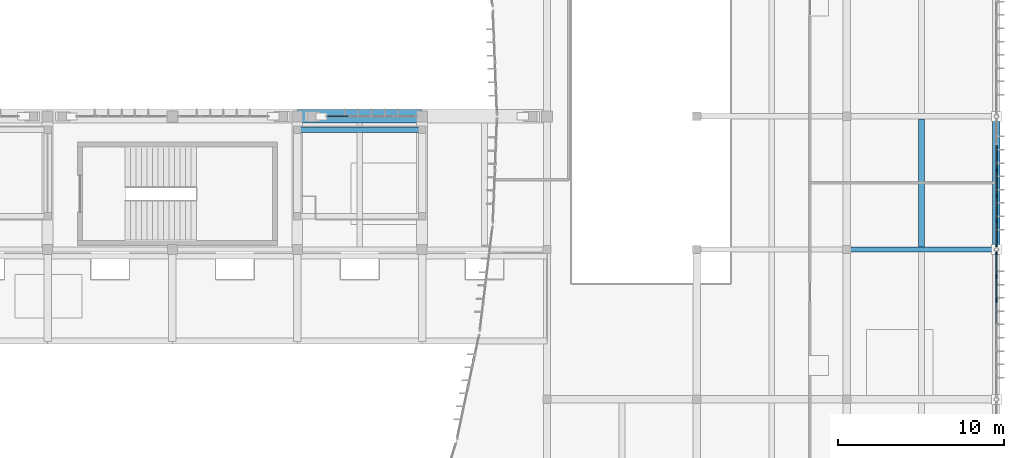
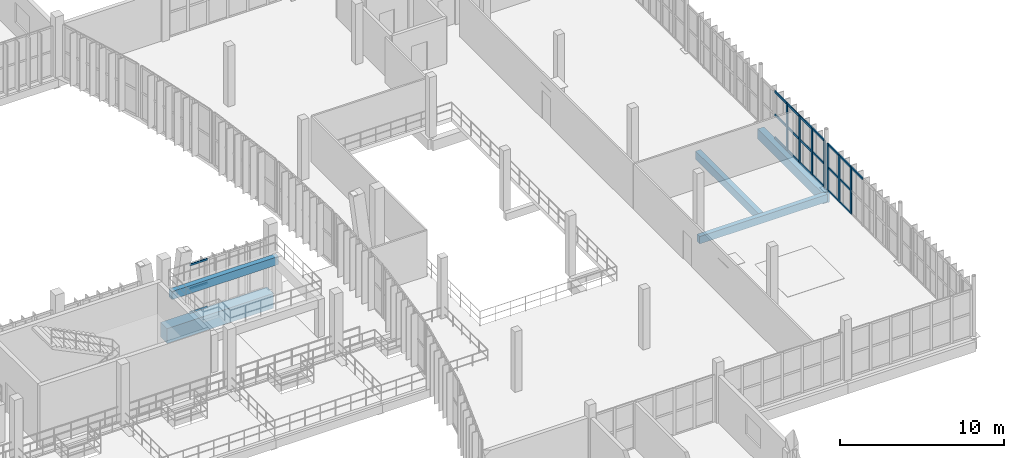
# One storey, part 32 of 81: 29 members, 5 beams, 3 elements without a shape of their own.
"""IFC4 building model written with IfcOpenShell, lengths in metres."""

from ifc_helpers import new_model, si_unit, direction, frame, origin, origin_2d, place, context, subcontext, project, spatial, rectangle, extrude, material, material_profile, profile_set, type_object, element, aggregate, save


model = new_model("IFC4")

# Units and contexts
model_context = context("Model", 3, precision=1e-05, world=origin(), true_north=direction((0.0, 1.0)))
body_context = subcontext(model_context, "Body", "Model", "MODEL_VIEW")
ifc_project = project(units=[si_unit("LENGTHUNIT", "METRE"), si_unit("AREAUNIT", "SQUARE_METRE"), si_unit("VOLUMEUNIT", "CUBIC_METRE"), si_unit("PLANEANGLEUNIT", "RADIAN"), si_unit("MASSUNIT", "GRAM", prefix="KILO")], contexts=[model_context])

# Site, building, storey
site_placement = place(None, origin())
site = spatial("IfcSite", under=ifc_project, at=site_placement, CompositionType="ELEMENT")
building_placement = place(site_placement, origin())
building = spatial("IfcBuilding", under=site, at=building_placement, Name="Vourika Railside Aquatics Centre", CompositionType="ELEMENT")
storey_placement = place(building_placement, frame((0.0, 0.0, 4.800048828125)))
storey = spatial("IfcBuildingStorey", under=building, at=storey_placement, Name="L01", CompositionType="ELEMENT", Elevation=4.800048828125)

# Beams
ifc_material_1 = material(Name="Concrete C35/45", Category="concrete")
ifc_material_profile_1 = material_profile(ifc_material_1, rectangle(XDim=0.449951171875, YDim=0.75, at=origin_2d()), Name="RC 450x750")
ifc_profile_set_1 = profile_set([ifc_material_profile_1], Name="Concrete C35/45")
beam_type_1 = type_object("IfcBeamType", Name="BM-GIRD-450x750", PredefinedType="BEAM", material=ifc_profile_set_1)
beam_1_placement = place(storey_placement, frame((168.0, 58.0, -0.675048828125), z_axis=(0.0, 1.0, 0.0), x_axis=(-1.0, 0.0, 0.0)))
element("IfcBeam", 1, at=beam_1_placement, inside=storey, type_object=beam_type_1, Name="Floor Girder GY-L01-294", PredefinedType="BEAM", context=body_context, shape_type="SweptSolid", body=[
    extrude(rectangle(XDim=0.449951171875, YDim=0.75, at=origin_2d()), origin(), (0.0, 0.0, 1.0), 8.0),
])
ifc_material_2 = material(Name="Concrete C40/50", Category="concrete")
ifc_material_profile_2 = material_profile(ifc_material_2, rectangle(XDim=0.800048828125, YDim=1.10009765625, at=origin_2d()), Name="RC 800x1100")
ifc_profile_set_2 = profile_set([ifc_material_profile_2], Name="Concrete C40/50")
beam_type_2 = type_object("IfcBeamType", Name="BM-RING-800x1100", PredefinedType="BEAM", material=ifc_profile_set_2)
beam_2_placement = place(storey_placement, frame((126.0, 66.0, -0.85009765625), z_axis=(1.0, 0.0, 0.0), x_axis=(0.0, 1.0, 0.0)))
element("IfcBeam", 2, at=beam_2_placement, inside=storey, type_object=beam_type_2, Name="Floor Beam GX-L01-092", PredefinedType="BEAM", context=body_context, shape_type="SweptSolid", body=[
    extrude(rectangle(XDim=0.800048828125, YDim=1.10009765625, at=origin_2d()), origin(), (0.0, 0.0, 1.0), 7.5),
])
ifc_material_profile_3 = material_profile(ifc_material_1, rectangle(XDim=0.35009765625, YDim=0.60009765625, at=origin_2d()), Name="RC 350x600")
ifc_profile_set_3 = profile_set([ifc_material_profile_3], Name="Concrete C35/45")
beam_type_3 = type_object("IfcBeamType", Name="BM-SEC-350x600", PredefinedType="JOIST", material=ifc_profile_set_3)
beam_3_placement = place(storey_placement, frame((163.5, 58.159912109375, -0.60009765625), z_axis=(0.0, 1.0, 0.0), x_axis=(-1.0, 0.0, 0.0)))
element("IfcBeam", 3, at=beam_3_placement, inside=storey, type_object=beam_type_3, Name="Secondary Joist JY-L01-338", PredefinedType="JOIST", context=body_context, shape_type="SweptSolid", body=[
    extrude(rectangle(XDim=0.35009765625, YDim=0.60009765625, at=origin_2d()), origin(), (0.0, 0.0, 1.0), 7.68017578125),
])
beam_4_placement = place(storey_placement, frame((126.0, 65.199951171875, 2.5), z_axis=(1.0, 0.0, 0.0), x_axis=(0.0, 1.0, 0.0)))
element("IfcBeam", 4, at=beam_4_placement, inside=storey, type_object=beam_type_3, Name="Upper Stand Rear Beam 126.0-133.5", PredefinedType="JOIST", context=body_context, shape_type="SweptSolid", body=[
    extrude(rectangle(XDim=0.35009765625, YDim=0.60009765625, at=origin_2d()), origin(), (0.0, 0.0, 1.0), 7.5),
])
ifc_material_profile_4 = material_profile(ifc_material_1, rectangle(XDim=0.320068359375, YDim=0.550048828125, at=origin_2d()), Name="RC 320x550")
ifc_profile_set_4 = profile_set([ifc_material_profile_4], Name="Concrete C35/45")
beam_type_4 = type_object("IfcBeamType", Name="BM-SPAN-320x550", PredefinedType="SPANDREL", material=ifc_profile_set_4)
beam_5_placement = place(storey_placement, frame((159.0, 58.0, -0.574951171875), z_axis=(1.0, 0.0, 0.0), x_axis=(0.0, 1.0, 0.0)))
element("IfcBeam", 5, at=beam_5_placement, inside=storey, type_object=beam_type_4, Name="Floor Beam GX-L01-077", PredefinedType="SPANDREL", context=body_context, shape_type="SweptSolid", body=[
    extrude(rectangle(XDim=0.320068359375, YDim=0.550048828125, at=origin_2d()), origin(), (0.0, 0.0, 1.0), 9.0),
])

# Curtain wall, members
ifc_material_3 = material(Name="Anodized thermally broken aluminium", Category="aluminium")
curtain_wall_type_1 = type_object("IfcCurtainWallType", Name="CW-FOYE", PredefinedType="NOTDEFINED", material=ifc_material_3)
curtain_wall_1_placement = place(storey_placement, origin())
curtain_wall_1 = element("IfcCurtainWall", 6, at=curtain_wall_1_placement, inside=storey, type_object=curtain_wall_type_1, Name="East Arrival Facade Curtain Wall L01-2", PredefinedType="NOTDEFINED")
ifc_material_4 = material(Name="Anodized aluminium mullion", Category="aluminium")
ifc_material_profile_5 = material_profile(ifc_material_4, rectangle(XDim=0.074951171875, YDim=0.199951171875, at=origin_2d()), Name="ALU-M 75x200")
ifc_profile_set_5 = profile_set([ifc_material_profile_5], Name="Anodized aluminium mullion")
member_type_1 = type_object("IfcMemberType", Name="CWM-FOYE", PredefinedType="MULLION", material=ifc_profile_set_5)
member_1_placement = place(storey_placement, frame((168.0, 54.944580078125, 0.0), z_axis=(0.0, 0.0, 1.0), x_axis=(-1.0, 0.0, 0.0)))
member_1 = element("IfcMember", 7, at=member_1_placement, type_object=member_type_1, Name="CW10 mullion 5", PredefinedType="MULLION", context=body_context, shape_type="SweptSolid", body=[
    extrude(rectangle(XDim=0.074951171875, YDim=0.199951171875, at=origin_2d()), origin(), (0.0, 0.0, 1.0), 3.5),
])
member_2_placement = place(storey_placement, frame((168.0, 56.388916015625, 0.0), z_axis=(0.0, 0.0, 1.0), x_axis=(-1.0, 0.0, 0.0)))
member_2 = element("IfcMember", 8, at=member_2_placement, type_object=member_type_1, Name="CW10 mullion 6", PredefinedType="MULLION", context=body_context, shape_type="SweptSolid", body=[
    extrude(rectangle(XDim=0.074951171875, YDim=0.199951171875, at=origin_2d()), origin(), (0.0, 0.0, 1.0), 3.5),
])
member_3_placement = place(storey_placement, frame((168.0, 57.7958984375, 0.0), z_axis=(0.0, 0.0, 1.0), x_axis=(-1.0, 0.0, 0.0)))
member_3 = element("IfcMember", 9, at=member_3_placement, type_object=member_type_1, Name="CW10 mullion 7", PredefinedType="MULLION", context=body_context, shape_type="SweptSolid", body=[
    extrude(rectangle(XDim=0.074951171875, YDim=0.199951171875, at=origin_2d()), origin(), (0.0, 0.0, 1.0), 3.5),
])

curtain_wall_2_placement = place(storey_placement, origin())
curtain_wall_2 = element("IfcCurtainWall", 10, at=curtain_wall_2_placement, inside=storey, type_object=curtain_wall_type_1, Name="East Arrival Facade Curtain Wall L01-3", PredefinedType="NOTDEFINED")
member_4_placement = place(storey_placement, frame((168.0, 58.2041015625, 0.0), z_axis=(0.0, 0.0, 1.0), x_axis=(-1.0, 0.0, 0.0)))
member_4 = element("IfcMember", 11, at=member_4_placement, type_object=member_type_1, Name="CW10 mullion 1", PredefinedType="MULLION", context=body_context, shape_type="SweptSolid", body=[
    extrude(rectangle(XDim=0.074951171875, YDim=0.199951171875, at=origin_2d()), origin(), (0.0, 0.0, 1.0), 3.5),
])
member_5_placement = place(storey_placement, frame((168.0, 59.699951171875, 0.0), z_axis=(0.0, 0.0, 1.0), x_axis=(-1.0, 0.0, 0.0)))
member_5 = element("IfcMember", 12, at=member_5_placement, type_object=member_type_1, Name="CW10 mullion 2", PredefinedType="MULLION", context=body_context, shape_type="SweptSolid", body=[
    extrude(rectangle(XDim=0.074951171875, YDim=0.199951171875, at=origin_2d()), origin(), (0.0, 0.0, 1.0), 3.5),
])
member_6_placement = place(storey_placement, frame((168.0, 61.2333984375, 0.0), z_axis=(0.0, 0.0, 1.0), x_axis=(-1.0, 0.0, 0.0)))
member_6 = element("IfcMember", 13, at=member_6_placement, type_object=member_type_1, Name="CW10 mullion 3", PredefinedType="MULLION", context=body_context, shape_type="SweptSolid", body=[
    extrude(rectangle(XDim=0.074951171875, YDim=0.199951171875, at=origin_2d()), origin(), (0.0, 0.0, 1.0), 3.5),
])
member_7_placement = place(storey_placement, frame((168.0, 62.7666015625, 0.0), z_axis=(0.0, 0.0, 1.0), x_axis=(-1.0, 0.0, 0.0)))
member_7 = element("IfcMember", 14, at=member_7_placement, type_object=member_type_1, Name="CW10 mullion 4", PredefinedType="MULLION", context=body_context, shape_type="SweptSolid", body=[
    extrude(rectangle(XDim=0.074951171875, YDim=0.199951171875, at=origin_2d()), origin(), (0.0, 0.0, 1.0), 3.5),
])

curtain_wall_type_2 = type_object("IfcCurtainWallType", Name="CW-CRT1", PredefinedType="NOTDEFINED", material=ifc_material_3)
curtain_wall_3_placement = place(storey_placement, origin())
curtain_wall_3 = element("IfcCurtainWall", 15, at=curtain_wall_3_placement, inside=storey, type_object=curtain_wall_type_2, Name="Spectator Concourse Courtyard Curtain Wall 13", PredefinedType="NOTDEFINED")
ifc_material_5 = material(Name="Anodized aluminium transom", Category="aluminium")
ifc_material_profile_6 = material_profile(ifc_material_5, rectangle(XDim=0.06591796875, YDim=0.132080078125, at=origin_2d()), Name="ALU-T 66x132")
ifc_profile_set_6 = profile_set([ifc_material_profile_6], Name="Anodized aluminium transom")
member_type_2 = type_object("IfcMemberType", Name="CWT-CRT1", PredefinedType="USERDEFINED", material=ifc_profile_set_6)
member_8_placement = place(storey_placement, frame((129.064453125, 66.0, 0.032958984375), z_axis=(-1.0, 0.0, 0.0), x_axis=(0.0, -1.0, 0.0)))
member_8 = element("IfcMember", 16, at=member_8_placement, type_object=member_type_2, Name="CW13 transom 4.1", ObjectType="TRANSOM", PredefinedType="USERDEFINED", context=body_context, shape_type="SweptSolid", body=[
    extrude(rectangle(XDim=0.06591796875, YDim=0.132080078125, at=origin_2d()), origin(), (0.0, 0.0, 1.0), 1.24853515625),
])
member_9_placement = place(storey_placement, frame((129.064453125, 66.0, 1.800048828125), z_axis=(-1.0, 0.0, 0.0), x_axis=(0.0, -1.0, 0.0)))
member_9 = element("IfcMember", 17, at=member_9_placement, type_object=member_type_2, Name="CW13 transom 4.2", ObjectType="TRANSOM", PredefinedType="USERDEFINED", context=body_context, shape_type="SweptSolid", body=[
    extrude(rectangle(XDim=0.06591796875, YDim=0.132080078125, at=origin_2d()), origin(), (0.0, 0.0, 1.0), 1.24853515625),
])
member_10_placement = place(storey_placement, frame((129.064453125, 66.0, 3.56689453125), z_axis=(-1.0, 0.0, 0.0), x_axis=(0.0, -1.0, 0.0)))
member_10 = element("IfcMember", 18, at=member_10_placement, type_object=member_type_2, Name="CW13 transom 4.3", ObjectType="TRANSOM", PredefinedType="USERDEFINED", context=body_context, shape_type="SweptSolid", body=[
    extrude(rectangle(XDim=0.06591796875, YDim=0.132080078125, at=origin_2d()), origin(), (0.0, 0.0, 1.0), 1.24853515625),
])
aggregate(curtain_wall_3, [member_8, member_9, member_10])

# Member
ifc_material_profile_7 = material_profile(ifc_material_5, rectangle(XDim=0.074951171875, YDim=0.157958984375, at=origin_2d()), Name="ALU-T 75x158")
ifc_profile_set_7 = profile_set([ifc_material_profile_7], Name="Anodized aluminium transom")
member_type_3 = type_object("IfcMemberType", Name="CWT-FOYE", PredefinedType="USERDEFINED", material=ifc_profile_set_7)
member_11_placement = place(storey_placement, frame((168.0, 53.53759765625, 3.46240234375), z_axis=(0.0, 1.0, 0.0), x_axis=(-1.0, 0.0, 0.0)))
member_11 = element("IfcMember", 19, at=member_11_placement, type_object=member_type_3, Name="CW10 transom 4.3", ObjectType="TRANSOM", PredefinedType="USERDEFINED", context=body_context, shape_type="SweptSolid", body=[
    extrude(rectangle(XDim=0.074951171875, YDim=0.157958984375, at=origin_2d()), origin(), (0.0, 0.0, 1.0), 1.369384765625),
])

member_12_placement = place(storey_placement, frame((168.0, 54.98193359375, 0.037353515625), z_axis=(0.0, 1.0, 0.0), x_axis=(-1.0, 0.0, 0.0)))
member_12 = element("IfcMember", 20, at=member_12_placement, type_object=member_type_3, Name="CW10 transom 5.1", ObjectType="TRANSOM", PredefinedType="USERDEFINED", context=body_context, shape_type="SweptSolid", body=[
    extrude(rectangle(XDim=0.074951171875, YDim=0.157958984375, at=origin_2d()), origin(), (0.0, 0.0, 1.0), 1.36962890625),
])

member_13_placement = place(storey_placement, frame((168.0, 54.98193359375, 1.75), z_axis=(0.0, 1.0, 0.0), x_axis=(-1.0, 0.0, 0.0)))
member_13 = element("IfcMember", 21, at=member_13_placement, type_object=member_type_3, Name="CW10 transom 5.2", ObjectType="TRANSOM", PredefinedType="USERDEFINED", context=body_context, shape_type="SweptSolid", body=[
    extrude(rectangle(XDim=0.074951171875, YDim=0.157958984375, at=origin_2d()), origin(), (0.0, 0.0, 1.0), 1.36962890625),
])

member_14_placement = place(storey_placement, frame((168.0, 54.98193359375, 3.46240234375), z_axis=(0.0, 1.0, 0.0), x_axis=(-1.0, 0.0, 0.0)))
member_14 = element("IfcMember", 22, at=member_14_placement, type_object=member_type_3, Name="CW10 transom 5.3", ObjectType="TRANSOM", PredefinedType="USERDEFINED", context=body_context, shape_type="SweptSolid", body=[
    extrude(rectangle(XDim=0.074951171875, YDim=0.157958984375, at=origin_2d()), origin(), (0.0, 0.0, 1.0), 1.36962890625),
])

member_15_placement = place(storey_placement, frame((168.0, 56.426513671875, 0.037353515625), z_axis=(0.0, 1.0, 0.0), x_axis=(-1.0, 0.0, 0.0)))
member_15 = element("IfcMember", 23, at=member_15_placement, type_object=member_type_3, Name="CW10 transom 6.1", ObjectType="TRANSOM", PredefinedType="USERDEFINED", context=body_context, shape_type="SweptSolid", body=[
    extrude(rectangle(XDim=0.074951171875, YDim=0.157958984375, at=origin_2d()), origin(), (0.0, 0.0, 1.0), 1.33203125),
])

member_16_placement = place(storey_placement, frame((168.0, 56.426513671875, 1.75), z_axis=(0.0, 1.0, 0.0), x_axis=(-1.0, 0.0, 0.0)))
member_16 = element("IfcMember", 24, at=member_16_placement, type_object=member_type_3, Name="CW10 transom 6.2", ObjectType="TRANSOM", PredefinedType="USERDEFINED", context=body_context, shape_type="SweptSolid", body=[
    extrude(rectangle(XDim=0.074951171875, YDim=0.157958984375, at=origin_2d()), origin(), (0.0, 0.0, 1.0), 1.33203125),
])

member_17_placement = place(storey_placement, frame((168.0, 56.426513671875, 3.46240234375), z_axis=(0.0, 1.0, 0.0), x_axis=(-1.0, 0.0, 0.0)))
member_17 = element("IfcMember", 25, at=member_17_placement, type_object=member_type_3, Name="CW10 transom 6.3", ObjectType="TRANSOM", PredefinedType="USERDEFINED", context=body_context, shape_type="SweptSolid", body=[
    extrude(rectangle(XDim=0.074951171875, YDim=0.157958984375, at=origin_2d()), origin(), (0.0, 0.0, 1.0), 1.33203125),
])

aggregate(curtain_wall_1, [member_1, member_2, member_3, member_11, member_12, member_13, member_14, member_15, member_16, member_17])

member_18_placement = place(storey_placement, frame((168.0, 58.241455078125, 0.037353515625), z_axis=(0.0, 1.0, 0.0), x_axis=(-1.0, 0.0, 0.0)))
member_18 = element("IfcMember", 26, at=member_18_placement, type_object=member_type_3, Name="CW10 transom 1.1", ObjectType="TRANSOM", PredefinedType="USERDEFINED", context=body_context, shape_type="SweptSolid", body=[
    extrude(rectangle(XDim=0.074951171875, YDim=0.157958984375, at=origin_2d()), origin(), (0.0, 0.0, 1.0), 1.4208984375),
])

member_19_placement = place(storey_placement, frame((168.0, 58.241455078125, 1.75), z_axis=(0.0, 1.0, 0.0), x_axis=(-1.0, 0.0, 0.0)))
member_19 = element("IfcMember", 27, at=member_19_placement, type_object=member_type_3, Name="CW10 transom 1.2", ObjectType="TRANSOM", PredefinedType="USERDEFINED", context=body_context, shape_type="SweptSolid", body=[
    extrude(rectangle(XDim=0.074951171875, YDim=0.157958984375, at=origin_2d()), origin(), (0.0, 0.0, 1.0), 1.4208984375),
])

member_20_placement = place(storey_placement, frame((168.0, 58.241455078125, 3.46240234375), z_axis=(0.0, 1.0, 0.0), x_axis=(-1.0, 0.0, 0.0)))
member_20 = element("IfcMember", 28, at=member_20_placement, type_object=member_type_3, Name="CW10 transom 1.3", ObjectType="TRANSOM", PredefinedType="USERDEFINED", context=body_context, shape_type="SweptSolid", body=[
    extrude(rectangle(XDim=0.074951171875, YDim=0.157958984375, at=origin_2d()), origin(), (0.0, 0.0, 1.0), 1.4208984375),
])

member_21_placement = place(storey_placement, frame((168.0, 59.7373046875, 0.037353515625), z_axis=(0.0, 1.0, 0.0), x_axis=(-1.0, 0.0, 0.0)))
member_21 = element("IfcMember", 29, at=member_21_placement, type_object=member_type_3, Name="CW10 transom 2.1", ObjectType="TRANSOM", PredefinedType="USERDEFINED", context=body_context, shape_type="SweptSolid", body=[
    extrude(rectangle(XDim=0.074951171875, YDim=0.157958984375, at=origin_2d()), origin(), (0.0, 0.0, 1.0), 1.45849609375),
])

member_22_placement = place(storey_placement, frame((168.0, 59.7373046875, 1.75), z_axis=(0.0, 1.0, 0.0), x_axis=(-1.0, 0.0, 0.0)))
member_22 = element("IfcMember", 30, at=member_22_placement, type_object=member_type_3, Name="CW10 transom 2.2", ObjectType="TRANSOM", PredefinedType="USERDEFINED", context=body_context, shape_type="SweptSolid", body=[
    extrude(rectangle(XDim=0.074951171875, YDim=0.157958984375, at=origin_2d()), origin(), (0.0, 0.0, 1.0), 1.45849609375),
])

member_23_placement = place(storey_placement, frame((168.0, 59.7373046875, 3.46240234375), z_axis=(0.0, 1.0, 0.0), x_axis=(-1.0, 0.0, 0.0)))
member_23 = element("IfcMember", 31, at=member_23_placement, type_object=member_type_3, Name="CW10 transom 2.3", ObjectType="TRANSOM", PredefinedType="USERDEFINED", context=body_context, shape_type="SweptSolid", body=[
    extrude(rectangle(XDim=0.074951171875, YDim=0.157958984375, at=origin_2d()), origin(), (0.0, 0.0, 1.0), 1.45849609375),
])

member_24_placement = place(storey_placement, frame((168.0, 61.270751953125, 0.037353515625), z_axis=(0.0, 1.0, 0.0), x_axis=(-1.0, 0.0, 0.0)))
member_24 = element("IfcMember", 32, at=member_24_placement, type_object=member_type_3, Name="CW10 transom 3.1", ObjectType="TRANSOM", PredefinedType="USERDEFINED", context=body_context, shape_type="SweptSolid", body=[
    extrude(rectangle(XDim=0.074951171875, YDim=0.157958984375, at=origin_2d()), origin(), (0.0, 0.0, 1.0), 1.45849609375),
])

member_25_placement = place(storey_placement, frame((168.0, 61.270751953125, 1.75), z_axis=(0.0, 1.0, 0.0), x_axis=(-1.0, 0.0, 0.0)))
member_25 = element("IfcMember", 33, at=member_25_placement, type_object=member_type_3, Name="CW10 transom 3.2", ObjectType="TRANSOM", PredefinedType="USERDEFINED", context=body_context, shape_type="SweptSolid", body=[
    extrude(rectangle(XDim=0.074951171875, YDim=0.157958984375, at=origin_2d()), origin(), (0.0, 0.0, 1.0), 1.45849609375),
])

member_26_placement = place(storey_placement, frame((168.0, 61.270751953125, 3.46240234375), z_axis=(0.0, 1.0, 0.0), x_axis=(-1.0, 0.0, 0.0)))
member_26 = element("IfcMember", 34, at=member_26_placement, type_object=member_type_3, Name="CW10 transom 3.3", ObjectType="TRANSOM", PredefinedType="USERDEFINED", context=body_context, shape_type="SweptSolid", body=[
    extrude(rectangle(XDim=0.074951171875, YDim=0.157958984375, at=origin_2d()), origin(), (0.0, 0.0, 1.0), 1.45849609375),
])

member_27_placement = place(storey_placement, frame((168.0, 62.80419921875, 0.037353515625), z_axis=(0.0, 1.0, 0.0), x_axis=(-1.0, 0.0, 0.0)))
member_27 = element("IfcMember", 35, at=member_27_placement, type_object=member_type_3, Name="CW10 transom 4.1", ObjectType="TRANSOM", PredefinedType="USERDEFINED", context=body_context, shape_type="SweptSolid", body=[
    extrude(rectangle(XDim=0.074951171875, YDim=0.157958984375, at=origin_2d()), origin(), (0.0, 0.0, 1.0), 1.45849609375),
])

member_28_placement = place(storey_placement, frame((168.0, 62.80419921875, 1.75), z_axis=(0.0, 1.0, 0.0), x_axis=(-1.0, 0.0, 0.0)))
member_28 = element("IfcMember", 36, at=member_28_placement, type_object=member_type_3, Name="CW10 transom 4.2", ObjectType="TRANSOM", PredefinedType="USERDEFINED", context=body_context, shape_type="SweptSolid", body=[
    extrude(rectangle(XDim=0.074951171875, YDim=0.157958984375, at=origin_2d()), origin(), (0.0, 0.0, 1.0), 1.45849609375),
])

member_29_placement = place(storey_placement, frame((168.0, 62.80419921875, 3.46240234375), z_axis=(0.0, 1.0, 0.0), x_axis=(-1.0, 0.0, 0.0)))
member_29 = element("IfcMember", 37, at=member_29_placement, type_object=member_type_3, Name="CW10 transom 4.3", ObjectType="TRANSOM", PredefinedType="USERDEFINED", context=body_context, shape_type="SweptSolid", body=[
    extrude(rectangle(XDim=0.074951171875, YDim=0.157958984375, at=origin_2d()), origin(), (0.0, 0.0, 1.0), 1.45849609375),
])

aggregate(curtain_wall_2, [member_4, member_5, member_6, member_7, member_18, member_19, member_20, member_21, member_22, member_23, member_24, member_25, member_26, member_27, member_28, member_29])

save(model, "model.ifc")
